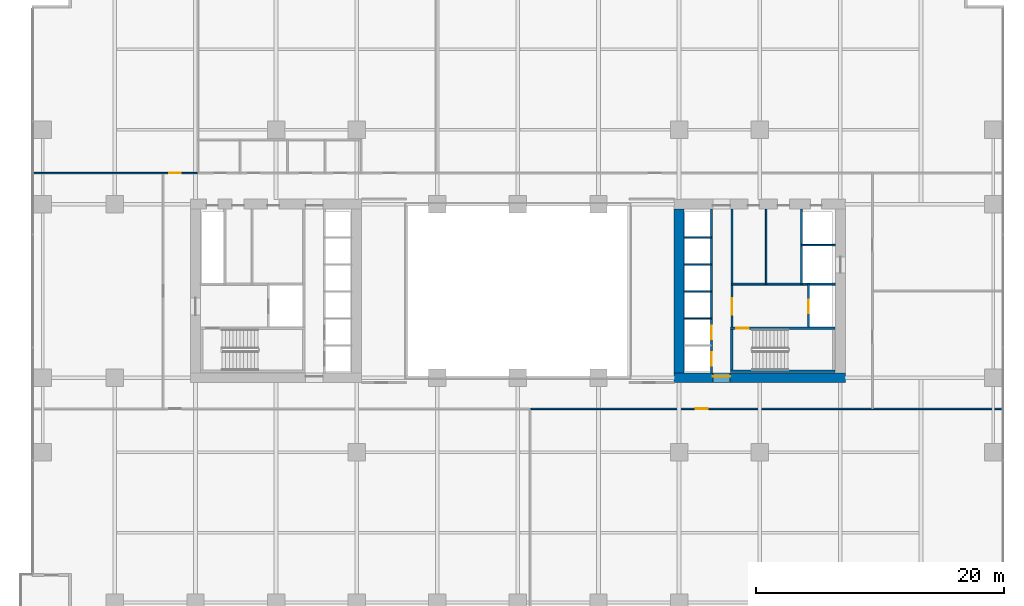
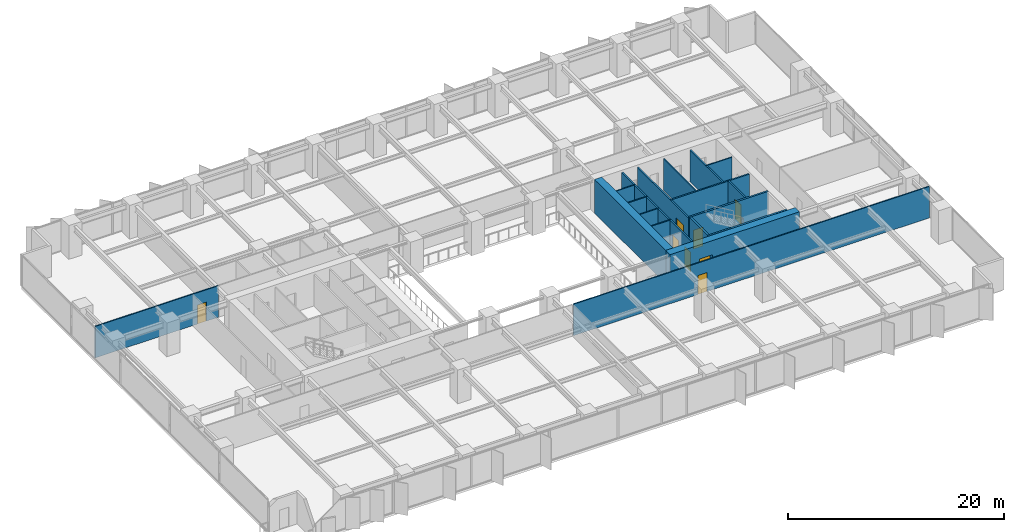
# One storey, part 14 of 20: 18 walls, 8 doors, 8 openings.
"""IFC4 building model written with IfcOpenShell, lengths in metres."""

import ifcopenshell
import ifcopenshell.guid

model = None  # the IFC model being written
_history = None  # IfcOwnerHistory: only IFC2X3 demands one
_inside = {}  # id of a spatial element -> (the spatial element, [elements in it])
_under = {}  # id of a project, library or spatial element -> (it, [spatial elements below it])
_declared = {}  # id of a project -> (the project, [libraries it declares])
_typed = {}  # id of a type object -> (the type object, [elements of that type])
_made_of = {}  # id of a material, layer set ... -> (it, [elements and type objects made of it])


def new_model(schema):
    """Start an empty IFC model of exactly this schema.

    Asked for "IFC4X3", IfcOpenShell would pick the latest addendum, in which some entities
    have other attributes; the version numbers below select the first issue.
    IFC2X3 requires an IfcOwnerHistory on every rooted entity: one is made here for all.
    """
    global model, _history
    if schema == "IFC4X3":
        model = ifcopenshell.file(schema_version=(4, 3, 0, 0))
    else:
        model = ifcopenshell.file(schema=schema)
    _inside.clear()
    _under.clear()
    _declared.clear()
    _typed.clear()
    _made_of.clear()
    _history = None
    if model.schema == "IFC2X3":
        org = make("IfcOrganization", Name="unknown")
        user = make(
            "IfcPersonAndOrganization",
            ThePerson=make("IfcPerson", FamilyName="unknown"),
            TheOrganization=org,
        )
        app = make(
            "IfcApplication",
            ApplicationDeveloper=org,
            Version="unknown",
            ApplicationFullName="unknown",
            ApplicationIdentifier="unknown",
        )
        _history = make(
            "IfcOwnerHistory",
            OwningUser=user,
            OwningApplication=app,
            ChangeAction="ADDED",
            CreationDate=0,
        )
    return model


def make(cls, **values):
    """One entity of the class cls with the attributes given. An attribute that is None is left unset."""
    return model.create_entity(
        cls, **{name: value for name, value in values.items() if value is not None}
    )


def rooted(cls, **values):
    """An entity with a GlobalId (a new one), such as an element, a storey or a relation."""
    return make(cls, GlobalId=ifcopenshell.guid.new(), OwnerHistory=_history, **values)


def si_unit(unit_type, name, prefix=None):
    """IfcSIUnit, for example si_unit("LENGTHUNIT", "METRE", prefix="MILLI")."""
    return make("IfcSIUnit", UnitType=unit_type, Prefix=prefix, Name=name)


def assignment(units):
    """IfcUnitAssignment: the units of a project."""
    return None if units is None else make("IfcUnitAssignment", Units=units)


def point(xyz):
    """IfcCartesianPoint."""
    return None if xyz is None else make("IfcCartesianPoint", Coordinates=xyz)


def direction(xyz):
    """IfcDirection."""
    return None if xyz is None else make("IfcDirection", DirectionRatios=xyz)


def frame(location, z_axis=None, x_axis=None):
    """IfcAxis2Placement3D, a coordinate frame: its origin and axes. An axis left out is left unset."""
    return make(
        "IfcAxis2Placement3D",
        Location=point(location),
        Axis=direction(z_axis),
        RefDirection=direction(x_axis),
    )


def frame_2d(location, x_axis=None):
    """IfcAxis2Placement2D, a coordinate frame in the plane: its origin and x axis."""
    return make(
        "IfcAxis2Placement2D", Location=point(location), RefDirection=direction(x_axis)
    )


def origin():
    """The frame at (0, 0, 0) with its axes left unset."""
    return frame((0.0, 0.0, 0.0))


def place(relative_to, where):
    """IfcLocalPlacement: puts the frame where relative to a parent placement (None: the world)."""
    return make(
        "IfcLocalPlacement", PlacementRelTo=relative_to, RelativePlacement=where
    )


def context(
    kind, dimensions, precision=None, world=None, true_north=None, identifier=None
):
    """IfcGeometricRepresentationContext, for example the 3D "Model" context."""
    return make(
        "IfcGeometricRepresentationContext",
        ContextIdentifier=identifier,
        ContextType=kind,
        CoordinateSpaceDimension=dimensions,
        Precision=precision,
        WorldCoordinateSystem=world,
        TrueNorth=true_north,
    )


def subcontext(parent, identifier, kind, view, scale=None):
    """IfcGeometricRepresentationSubContext, for example "Body" below "Model"."""
    return make(
        "IfcGeometricRepresentationSubContext",
        ContextIdentifier=identifier,
        ContextType=kind,
        ParentContext=parent,
        TargetScale=scale,
        TargetView=view,
    )


def project(units=None, contexts=None):
    """IfcProject with its units and contexts."""
    return rooted(
        "IfcProject",
        Name="project",
        RepresentationContexts=contexts,
        UnitsInContext=assignment(units),
    )


def spatial(cls, under=None, at=None, **own):
    """A site, building, storey or space (cls), placed at a placement, below another one or the project."""
    s = rooted(cls, ObjectPlacement=at, **own)
    if under is not None:
        _under.setdefault(under.id(), (under, []))[1].append(s)
    return s


def profile(cls, at=None, kind="AREA", **sizes):
    """A parametric profile (cls). Its sizes go by their IFC names, for example OverallWidth=200.0."""
    return make(cls, ProfileType=kind, Position=at, **sizes)


def rectangle(**sizes):
    """IfcRectangleProfileDef."""
    return profile("IfcRectangleProfileDef", **sizes)


def extrude(swept, where, along, depth):
    """IfcExtrudedAreaSolid: the profile swept, set in the frame where, extruded along a direction by depth."""
    return make(
        "IfcExtrudedAreaSolid",
        SweptArea=swept,
        Position=where,
        ExtrudedDirection=direction(along),
        Depth=depth,
    )


def shape(context_of_items, identifier, shape_type, items):
    """IfcShapeRepresentation: the items that make up one representation, for example the "Body"."""
    return make(
        "IfcShapeRepresentation",
        ContextOfItems=context_of_items,
        RepresentationIdentifier=identifier,
        RepresentationType=shape_type,
        Items=items,
    )


def material(Name=None, Category=None):
    """IfcMaterial."""
    return make("IfcMaterial", Name=Name, Category=Category)


def layer(
    of_material, thickness, ventilated=None, Name=None, Category=None, Priority=None
):
    """IfcMaterialLayer: one layer of a wall or slab, of a material (None: an air gap)."""
    return make(
        "IfcMaterialLayer",
        Material=of_material,
        LayerThickness=thickness,
        IsVentilated=ventilated,
        Name=Name,
        Category=Category,
        Priority=Priority,
    )


def layer_set(layers, Name=None):
    """IfcMaterialLayerSet."""
    return make("IfcMaterialLayerSet", MaterialLayers=layers, LayerSetName=Name)


def made_of(thing, what):
    """Note that an element or type object is made of a material, layer set ...; save() writes the relation."""
    if what is not None:
        _made_of.setdefault(what.id(), (what, []))[1].append(thing)
    return thing


def type_object(cls, material=None, **own):
    """A type object (cls), such as IfcWallType, which elements share."""
    return made_of(rooted(cls, **own), material)


def element(
    cls,
    number,
    at=None,
    inside=None,
    cuts=None,
    type_object=None,
    material=None,
    context=None,
    identifier="Body",
    shape_type=None,
    held_by="IfcProductDefinitionShape",
    body=None,
    shapes=None,
    **own,
):
    """One element of the class cls, such as IfcWall. Its Tag is "e" and its number.

    at: its placement. inside: the storey or other place that contains it. cuts: it is an
    opening in that element (IfcRelVoidsElement). A single representation is given by context,
    identifier, shape_type and body (its items); several are given by shapes. held_by: the class
    of the entity that holds the representations. save() writes the other relations.
    """
    e = rooted(cls, Tag="e%d" % number, ObjectPlacement=at, **own)
    if body is not None:
        shapes = [shape(context, identifier, shape_type, body)]
    if shapes is not None:
        e.Representation = make(held_by, Representations=shapes)
    if inside is not None:
        _inside.setdefault(inside.id(), (inside, []))[1].append(e)
    if cuts is not None:
        rooted(
            "IfcRelVoidsElement", RelatingBuildingElement=cuts, RelatedOpeningElement=e
        )
    if type_object is not None:
        _typed.setdefault(type_object.id(), (type_object, []))[1].append(e)
    return made_of(e, material)


def fill(opening, filler):
    """IfcRelFillsElement: the door or window that sits in an opening."""
    return rooted(
        "IfcRelFillsElement",
        RelatingOpeningElement=opening,
        RelatedBuildingElement=filler,
    )


def aggregate(whole, parts):
    """IfcRelAggregates: a whole, such as a stair, and the parts it consists of."""
    return rooted("IfcRelAggregates", RelatingObject=whole, RelatedObjects=parts)


def save(model, path):
    """Write the relations noted so far, then the file.

    IfcRelAggregates (storeys below a building ...), IfcRelContainedInSpatialStructure (elements
    in a storey), IfcRelDefinesByType, IfcRelAssociatesMaterial and IfcRelDeclares: one each for
    every whole, place, type object, material and project.
    """
    for whole, parts in _under.values():
        aggregate(whole, parts)
    for where, things in _inside.values():
        rooted(
            "IfcRelContainedInSpatialStructure",
            RelatedElements=things,
            RelatingStructure=where,
        )
    for kind, things in _typed.values():
        rooted("IfcRelDefinesByType", RelatedObjects=things, RelatingType=kind)
    for what, things in _made_of.values():
        rooted("IfcRelAssociatesMaterial", RelatedObjects=things, RelatingMaterial=what)
    for by, libraries in _declared.values():
        rooted("IfcRelDeclares", RelatingContext=by, RelatedDefinitions=libraries)
    model.write(path)


model = new_model("IFC4")

# Units and contexts
model_context = context("Model", 3, precision=1e-05, world=origin(), true_north=direction((0.0, 1.0)))
body_context = subcontext(model_context, "Body", "Model", "MODEL_VIEW")
ifc_project = project(units=[si_unit("LENGTHUNIT", "METRE"), si_unit("AREAUNIT", "SQUARE_METRE"), si_unit("VOLUMEUNIT", "CUBIC_METRE"), si_unit("PLANEANGLEUNIT", "RADIAN"), si_unit("MASSUNIT", "GRAM", prefix="KILO")], contexts=[model_context])

# Site, building, storey
site_placement = place(None, origin())
site = spatial("IfcSite", under=ifc_project, at=site_placement, CompositionType="ELEMENT")
building_placement = place(site_placement, origin())
building = spatial("IfcBuilding", under=site, at=building_placement, Name="Putna Gate Headquarters", CompositionType="ELEMENT")
storey_placement = place(building_placement, frame((0.0, 0.0, 31.60009765625)))
storey = spatial("IfcBuildingStorey", under=building, at=storey_placement, Name="L06", CompositionType="ELEMENT", Elevation=31.60009765625)

# Wall, opening, door
ifc_material_1 = material(Name="Concrete C60/75", Category="concrete")
ifc_layer_1 = layer(ifc_material_1, 0.800048828125)
ifc_layer_set_1 = layer_set([ifc_layer_1], Name="Concrete C60/75")
wall_type_1 = type_object("IfcWallType", Name="WALL-CORE-800", PredefinedType="SHEAR", material=ifc_layer_set_1)
wall_1_placement = place(storey_placement, frame((51.60009765625, 19.0, 0.0), z_axis=(0.0, 0.0, 1.0), x_axis=(1.0, 0.0, 0.0)))
wall_1 = element("IfcWall", 1, at=wall_1_placement, inside=storey, type_object=wall_type_1, Name="L06 EC Split Core Shear Wall S", PredefinedType="SHEAR", context=body_context, shape_type="SweptSolid", body=[
    extrude(rectangle(XDim=13.7998046875, YDim=0.800048828125, at=frame_2d((6.89990234375, 0.0))), origin(), (0.0, 0.0, 1.0), 3.7998046875),
])
opening_1_placement = place(wall_1_placement, frame((3.1201171875, 0.0, 0.0)))
opening_1 = element("IfcOpeningElement", 2, at=opening_1_placement, cuts=wall_1, Name="Opening FDD-140", PredefinedType="OPENING", context=body_context, shape_type="SweptSolid", body=[
    extrude(rectangle(XDim=1.39990234375, YDim=2.199951171875, at=frame_2d((0.699951171875, 1.10009765625))), frame((0.0, 0.409912109375, 0.0), z_axis=(0.0, -1.0, 0.0), x_axis=(1.0, 0.0, 0.0)), (0.0, 0.0, 1.0), 0.820068359375),
])
ifc_material_2 = material(Name="Double steel fire door", Category="steel")
door_type_1 = type_object("IfcDoorType", Name="DOOR-FIRE-DBL-1400", OperationType="DOUBLE_DOOR_SINGLE_SWING", PredefinedType="DOOR", material=ifc_material_2)
door_1_placement = place(opening_1_placement, origin())
door_1 = element("IfcDoor", 3, at=door_1_placement, inside=storey, type_object=door_type_1, Name="L06 East Lift Lobby South Door", OperationType="DOUBLE_DOOR_SINGLE_SWING", OverallHeight=2.199951171875, OverallWidth=1.39990234375, PredefinedType="DOOR", context=body_context, shape_type="SweptSolid", body=[
    extrude(rectangle(XDim=1.39990234375, YDim=2.199951171875, at=frame_2d((0.699951171875, 1.10009765625))), frame((0.0, 0.125, 0.0), z_axis=(0.0, -1.0, 0.0), x_axis=(1.0, 0.0, 0.0)), (0.0, 0.0, 1.0), 0.050048828125),
])
fill(opening_1, door_1)

# Walls
wall_2_placement = place(storey_placement, frame((52.0, 19.39990234375, 0.0), z_axis=(0.0, 0.0, 1.0), x_axis=(0.0, 1.0, 0.0)))
element("IfcWall", 4, at=wall_2_placement, inside=storey, type_object=wall_type_1, Name="L06 EC Split Core Shear Wall W", PredefinedType="SHEAR", context=body_context, shape_type="SweptSolid", body=[
    extrude(rectangle(XDim=13.2001953125, YDim=0.800048828125, at=frame_2d((6.60009765625, 0.0))), origin(), (0.0, 0.0, 1.0), 3.7998046875),
])
ifc_material_3 = material(Name="Fire-rated shaftwall gypsum board on metal stud")
ifc_layer_2 = layer(ifc_material_3, 0.1201171875)
ifc_layer_set_2 = layer_set([ifc_layer_2], Name="Fire-rated shaftwall gypsum board on metal stud")
wall_type_2 = type_object("IfcWallType", Name="WALL-PART-120-EI120", PredefinedType="PARTITIONING", material=ifc_layer_set_2)
for number, where, z_axis, x_axis, name in (
    (5, (52.39990234375, 23.780029296875, 0.0), (0.0, 0.0, 1.0), (1.0, 0.0, 0.0), "L06 Interior Wall CWINT-L06-EC-LF04-DIV"),
    (6, (52.39990234375, 25.949951171875, 0.0), (0.0, 0.0, 1.0), (1.0, 0.0, 0.0), "L06 Interior Wall CWINT-L06-EC-LF07-DIV"),
    (7, (52.39990234375, 28.1201171875, 0.0), (0.0, 0.0, 1.0), (1.0, 0.0, 0.0), "L06 Interior Wall CWINT-L06-EC-LF08-DIV"),
    (8, (52.39990234375, 30.31005859375, 0.0), (0.0, 0.0, 1.0), (1.0, 0.0, 0.0), "L06 Interior Wall CWINT-L06-EC-LF11-DIV"),
):
    element("IfcWall", number, at=place(storey_placement, frame(where, z_axis=z_axis, x_axis=x_axis)), inside=storey, type_object=wall_type_2, Name=name, PredefinedType="PARTITIONING", context=body_context, shape_type="SweptSolid", body=[
        extrude(rectangle(XDim=2.2001953125, YDim=0.1201171875, at=frame_2d((1.10009765625, 0.0))), origin(), (0.0, 0.0, 1.0), 3.5498046875),
    ])
wall_3_placement = place(storey_placement, frame((61.8701171875, 29.699951171875, 0.0), z_axis=(0.0, 0.0, 1.0), x_axis=(1.0, 0.0, 0.0)))
element("IfcWall", 9, at=wall_3_placement, inside=storey, type_object=wall_type_2, Name="L06 Interior Wall CWINT-L06-EC-LF15-N", PredefinedType="PARTITIONING", context=body_context, shape_type="SweptSolid", body=[
    extrude(rectangle(XDim=2.72998046875, YDim=0.1201171875, at=frame_2d((1.364990234375, 0.0))), origin(), (0.0, 0.0, 1.0), 3.5498046875),
])
ifc_material_4 = material(Name="Fire-rated gypsum board on metal stud")
ifc_layer_3 = layer(ifc_material_4, 0.1201171875)
ifc_layer_set_3 = layer_set([ifc_layer_3], Name="Fire-rated gypsum board on metal stud")
wall_type_3 = type_object("IfcWallType", Name="WALL-PART-120-RATED", PredefinedType="PARTITIONING", material=ifc_layer_set_3)
wall_4_placement = place(storey_placement, frame((59.02001953125, 26.56005859375, 0.0), z_axis=(0.0, 0.0, 1.0), x_axis=(0.0, 1.0, 0.0)))
element("IfcWall", 10, at=wall_4_placement, inside=storey, type_object=wall_type_3, Name="L06 Interior Wall CWINT-L06-EC-K1-DIV", PredefinedType="PARTITIONING", context=body_context, shape_type="SweptSolid", body=[
    extrude(rectangle(XDim=6.0400390625, YDim=0.1201171875, at=frame_2d((3.02001953125, 0.0))), origin(), (0.0, 0.0, 1.0), 3.5498046875),
])

# Wall, opening, door
wall_5_placement = place(storey_placement, frame((-0.02001953125, 35.5, 0.0), z_axis=(0.0, 0.0, 1.0), x_axis=(1.0, 0.0, 0.0)))
wall_5 = element("IfcWall", 11, at=wall_5_placement, inside=storey, type_object=wall_type_3, Name="L06 Interior Wall PART-L06-NB-CW-01", PredefinedType="PARTITIONING", context=body_context, shape_type="SweptSolid", body=[
    extrude(rectangle(XDim=13.159912109375, YDim=0.1201171875, at=frame_2d((6.580078125, 0.0))), origin(), (0.0, 0.0, 1.0), 3.5498046875),
])
opening_2_placement = place(wall_5_placement, frame((10.89990234375, 0.0, 0.0)))
opening_2 = element("IfcOpeningElement", 12, at=opening_2_placement, cuts=wall_5, Name="Opening FD-95", PredefinedType="OPENING", context=body_context, shape_type="SweptSolid", body=[
    extrude(rectangle(XDim=0.949951171875, YDim=2.14990234375, at=frame_2d((0.47509765625, 1.074951171875))), frame((0.0, 0.070068359375, 0.0), z_axis=(0.0, -1.0, 0.0), x_axis=(1.0, 0.0, 0.0)), (0.0, 0.0, 1.0), 0.14013671875),
])
ifc_material_5 = material(Name="Acoustic timber fire door", Category="wood")
door_type_2 = type_object("IfcDoorType", Name="DOOR-FIRE-950", OperationType="NOTDEFINED", PredefinedType="DOOR", material=ifc_material_5)
door_2_placement = place(opening_2_placement, origin())
door_2 = element("IfcDoor", 13, at=door_2_placement, inside=storey, type_object=door_type_2, Name="L06 Cellular Office 1 Door", OperationType="SINGLE_SWING_LEFT", OverallHeight=2.14990234375, OverallWidth=0.949951171875, PredefinedType="DOOR", context=body_context, shape_type="SweptSolid", body=[
    extrude(rectangle(XDim=0.949951171875, YDim=2.14990234375, at=frame_2d((0.47509765625, 1.074951171875))), frame((0.0, 0.02490234375, 0.0), z_axis=(0.0, -1.0, 0.0), x_axis=(1.0, 0.0, 0.0)), (0.0, 0.0, 1.0), 0.050048828125),
])
fill(opening_2, door_2)

wall_6_placement = place(storey_placement, frame((40.043212890625, 16.5, 0.0), z_axis=(0.0, 0.0, 1.0), x_axis=(1.0, 0.0, 0.0)))
wall_6 = element("IfcWall", 14, at=wall_6_placement, inside=storey, type_object=wall_type_3, Name="L06 Interior Wall PART-L06-SB-CW-02", PredefinedType="PARTITIONING", context=body_context, shape_type="SweptSolid", body=[
    extrude(rectangle(XDim=37.976806640625, YDim=0.1201171875, at=frame_2d((18.98828125, 0.0))), origin(), (0.0, 0.0, 1.0), 3.5498046875),
])
opening_3_placement = place(wall_6_placement, frame((13.30322265625, 0.0, 0.0)))
opening_3 = element("IfcOpeningElement", 15, at=opening_3_placement, cuts=wall_6, Name="Opening FD-95", PredefinedType="OPENING", context=body_context, shape_type="SweptSolid", body=[
    extrude(rectangle(XDim=0.949951171875, YDim=2.14990234375, at=frame_2d((0.47509765625, 1.074951171875))), frame((0.0, 0.070068359375, 0.0), z_axis=(0.0, -1.0, 0.0), x_axis=(1.0, 0.0, 0.0)), (0.0, 0.0, 1.0), 0.14013671875),
])
door_3_placement = place(opening_3_placement, origin())
door_3 = element("IfcDoor", 16, at=door_3_placement, inside=storey, type_object=door_type_2, Name="L06 Quiet Wellness Focus Studio 2 Door", OperationType="SINGLE_SWING_LEFT", OverallHeight=2.14990234375, OverallWidth=0.949951171875, PredefinedType="DOOR", context=body_context, shape_type="SweptSolid", body=[
    extrude(rectangle(XDim=0.949951171875, YDim=2.14990234375, at=frame_2d((0.47509765625, 1.074951171875))), frame((0.0, 0.02490234375, 0.0), z_axis=(0.0, -1.0, 0.0), x_axis=(1.0, 0.0, 0.0)), (0.0, 0.0, 1.0), 0.050048828125),
])
fill(opening_3, door_3)

# Wall, openings, doors
ifc_material_6 = material(Name="Concrete C40/50", Category="concrete")
ifc_layer_4 = layer(ifc_material_6, 0.159912109375)
ifc_layer_set_4 = layer_set([ifc_layer_4], Name="Concrete C40/50")
wall_type_4 = type_object("IfcWallType", Name="WALL-SHAFT-160", PredefinedType="STANDARD", material=ifc_layer_set_4)
wall_7_placement = place(storey_placement, frame((54.60009765625, 19.39990234375, 0.0), z_axis=(0.0, 0.0, 1.0), x_axis=(0.0, 1.0, 0.0)))
wall_7 = element("IfcWall", 17, at=wall_7_placement, inside=storey, type_object=wall_type_4, Name="L06 Interior Wall CWINT-L06-EC-PL-WALL", PredefinedType="STANDARD", context=body_context, shape_type="SweptSolid", body=[
    extrude(rectangle(XDim=13.2001953125, YDim=0.159912109375, at=frame_2d((6.60009765625, 0.0))), origin(), (0.0, 0.0, 1.0), 3.5498046875),
])
opening_4_placement = place(wall_7_placement, frame((0.550048828125, 0.0, 0.0)))
opening_4 = element("IfcOpeningElement", 18, at=opening_4_placement, cuts=wall_7, Name="Opening LD-1", PredefinedType="OPENING", context=body_context, shape_type="SweptSolid", body=[
    extrude(rectangle(XDim=1.10009765625, YDim=2.199951171875, at=frame_2d((0.550048828125, 1.10009765625))), frame((0.0, 0.08984375, 0.0), z_axis=(0.0, -1.0, 0.0), x_axis=(1.0, 0.0, 0.0)), (0.0, 0.0, 1.0), 0.179931640625),
])
opening_5_placement = place(wall_7_placement, frame((2.699951171875, 0.0, 0.0)))
opening_5 = element("IfcOpeningElement", 19, at=opening_5_placement, cuts=wall_7, Name="Opening LD-1", PredefinedType="OPENING", context=body_context, shape_type="SweptSolid", body=[
    extrude(rectangle(XDim=1.10009765625, YDim=2.199951171875, at=frame_2d((0.550048828125, 1.10009765625))), frame((0.0, 0.08984375, 0.0), z_axis=(0.0, -1.0, 0.0), x_axis=(1.0, 0.0, 0.0)), (0.0, 0.0, 1.0), 0.179931640625),
])
ifc_material_7 = material(Name="Brushed bronze stainless lift landing door")
door_type_3 = type_object("IfcDoorType", Name="DOOR-LIFT-1100", OperationType="DOUBLE_DOOR_SLIDING", PredefinedType="DOOR", material=ifc_material_7)
door_4_placement = place(opening_4_placement, origin())
door_4 = element("IfcDoor", 20, at=door_4_placement, inside=storey, type_object=door_type_3, Name="L06 Lift Landing Door LD-03", OperationType="DOUBLE_DOOR_SLIDING", OverallHeight=2.199951171875, OverallWidth=1.10009765625, PredefinedType="DOOR", context=body_context, shape_type="SweptSolid", body=[
    extrude(rectangle(XDim=1.10009765625, YDim=2.199951171875, at=frame_2d((0.550048828125, 1.10009765625))), frame((0.0, 0.02490234375, 0.0), z_axis=(0.0, -1.0, 0.0), x_axis=(1.0, 0.0, 0.0)), (0.0, 0.0, 1.0), 0.050048828125),
])
fill(opening_4, door_4)
door_5_placement = place(opening_5_placement, origin())
door_5 = element("IfcDoor", 21, at=door_5_placement, inside=storey, type_object=door_type_3, Name="L06 Lift Landing Door LD-04", OperationType="DOUBLE_DOOR_SLIDING", OverallHeight=2.199951171875, OverallWidth=1.10009765625, PredefinedType="DOOR", context=body_context, shape_type="SweptSolid", body=[
    extrude(rectangle(XDim=1.10009765625, YDim=2.199951171875, at=frame_2d((0.550048828125, 1.10009765625))), frame((0.0, 0.02490234375, 0.0), z_axis=(0.0, -1.0, 0.0), x_axis=(1.0, 0.0, 0.0)), (0.0, 0.0, 1.0), 0.050048828125),
])
fill(opening_5, door_5)

# Wall, opening, door
wall_8_placement = place(storey_placement, frame((56.260009765625, 23.090087890625, 0.0), z_axis=(0.0, 0.0, 1.0), x_axis=(0.0, 1.0, 0.0)))
wall_8 = element("IfcWall", 22, at=wall_8_placement, inside=storey, type_object=wall_type_4, Name="L06 Interior Wall CWINT-L06-EC-LOB-E", PredefinedType="STANDARD", context=body_context, shape_type="SweptSolid", body=[
    extrude(rectangle(XDim=9.510009765625, YDim=0.159912109375, at=frame_2d((4.7548828125, 0.0))), origin(), (0.0, 0.0, 1.0), 3.5498046875),
])
opening_6_placement = place(wall_8_placement, frame((1.010009765625, 0.0, 0.0)))
opening_6 = element("IfcOpeningElement", 23, at=opening_6_placement, cuts=wall_8, Name="Opening FDD-130", PredefinedType="OPENING", context=body_context, shape_type="SweptSolid", body=[
    extrude(rectangle(XDim=1.300048828125, YDim=2.199951171875, at=frame_2d((0.64990234375, 1.10009765625))), frame((0.0, 0.08984375, 0.0), z_axis=(0.0, -1.0, 0.0), x_axis=(1.0, 0.0, 0.0)), (0.0, 0.0, 1.0), 0.179931640625),
])
ifc_material_8 = material(Name="Double steel lobby fire door", Category="steel")
door_type_4 = type_object("IfcDoorType", Name="DOOR-FIRE-DBL-1300", OperationType="DOUBLE_DOOR_SINGLE_SWING", PredefinedType="DOOR", material=ifc_material_8)
door_6_placement = place(opening_6_placement, origin())
door_6 = element("IfcDoor", 24, at=door_6_placement, inside=storey, type_object=door_type_4, Name="L06 East Firefighting Lobby Door", OperationType="DOUBLE_DOOR_SINGLE_SWING", OverallHeight=2.199951171875, OverallWidth=1.300048828125, PredefinedType="DOOR", context=body_context, shape_type="SweptSolid", body=[
    extrude(rectangle(XDim=1.300048828125, YDim=2.199951171875, at=frame_2d((0.64990234375, 1.10009765625))), frame((0.0, 0.02490234375, 0.0), z_axis=(0.0, -1.0, 0.0), x_axis=(1.0, 0.0, 0.0)), (0.0, 0.0, 1.0), 0.050048828125),
])
fill(opening_6, door_6)

wall_9_placement = place(storey_placement, frame((62.429931640625, 23.090087890625, 0.0), z_axis=(0.0, 0.0, 1.0), x_axis=(0.0, 1.0, 0.0)))
wall_9 = element("IfcWall", 25, at=wall_9_placement, inside=storey, type_object=wall_type_4, Name="L06 Interior Wall CWINT-L06-EC-LF14-W", PredefinedType="STANDARD", context=body_context, shape_type="SweptSolid", body=[
    extrude(rectangle(XDim=3.469970703125, YDim=0.159912109375, at=frame_2d((1.73486328125, 0.0))), origin(), (0.0, 0.0, 1.0), 3.5498046875),
])
opening_7_placement = place(wall_9_placement, frame((1.10009765625, 0.0, 0.0)))
opening_7 = element("IfcOpeningElement", 26, at=opening_7_placement, cuts=wall_9, Name="Opening LD-1", PredefinedType="OPENING", context=body_context, shape_type="SweptSolid", body=[
    extrude(rectangle(XDim=1.10009765625, YDim=2.199951171875, at=frame_2d((0.550048828125, 1.10009765625))), frame((0.0, 0.08984375, 0.0), z_axis=(0.0, -1.0, 0.0), x_axis=(1.0, 0.0, 0.0)), (0.0, 0.0, 1.0), 0.179931640625),
])
door_7_placement = place(opening_7_placement, origin())
door_7 = element("IfcDoor", 27, at=door_7_placement, inside=storey, type_object=door_type_3, Name="L06 Lift Landing Door LD-14", OperationType="DOUBLE_DOOR_SLIDING", OverallHeight=2.199951171875, OverallWidth=1.10009765625, PredefinedType="DOOR", context=body_context, shape_type="SweptSolid", body=[
    extrude(rectangle(XDim=1.10009765625, YDim=2.199951171875, at=frame_2d((0.550048828125, 1.10009765625))), frame((0.0, 0.02490234375, 0.0), z_axis=(0.0, -1.0, 0.0), x_axis=(1.0, 0.0, 0.0)), (0.0, 0.0, 1.0), 0.050048828125),
])
fill(opening_7, door_7)

# Walls
wall_10_placement = place(storey_placement, frame((56.260009765625, 26.56005859375, 0.0), z_axis=(0.0, 0.0, 1.0), x_axis=(1.0, 0.0, 0.0)))
element("IfcWall", 28, at=wall_10_placement, inside=storey, type_object=wall_type_4, Name="L06 Interior Wall CWINT-L06-EC-FFL-N", PredefinedType="STANDARD", context=body_context, shape_type="SweptSolid", body=[
    extrude(rectangle(XDim=8.340087890625, YDim=0.159912109375, at=frame_2d((4.169921875, 0.0))), origin(), (0.0, 0.0, 1.0), 3.5498046875),
])
wall_11_placement = place(storey_placement, frame((61.8701171875, 26.56005859375, 0.0), z_axis=(0.0, 0.0, 1.0), x_axis=(0.0, 1.0, 0.0)))
element("IfcWall", 29, at=wall_11_placement, inside=storey, type_object=wall_type_4, Name="L06 Interior Wall CWINT-L06-EC-LF15-W", PredefinedType="STANDARD", context=body_context, shape_type="SweptSolid", body=[
    extrude(rectangle(XDim=6.0400390625, YDim=0.159912109375, at=frame_2d((3.02001953125, 0.0))), origin(), (0.0, 0.0, 1.0), 3.5498046875),
])
ifc_layer_5 = layer(ifc_material_6, 0.199951171875)
ifc_layer_set_5 = layer_set([ifc_layer_5], Name="Concrete C40/50")
wall_type_5 = type_object("IfcWallType", Name="WALL-SHAFT-RC200", PredefinedType="SHEAR", material=ifc_layer_set_5)
wall_12_placement = place(storey_placement, frame((56.159912109375, 19.510009765625, 0.0), z_axis=(0.0, 0.0, 1.0), x_axis=(1.0, 0.0, 0.0)))
element("IfcWall", 30, at=wall_12_placement, inside=storey, type_object=wall_type_5, Name="L06 Stair ST2 Structural Shaft Wall S", PredefinedType="SHEAR", context=body_context, shape_type="SweptSolid", body=[
    extrude(rectangle(XDim=8.43017578125, YDim=0.199951171875, at=frame_2d((4.215087890625, 0.0))), origin(), (0.0, 0.0, 1.0), 3.7998046875),
])

# Wall, opening, door
wall_13_placement = place(storey_placement, frame((56.159912109375, 22.989990234375, 0.0), z_axis=(0.0, 0.0, 1.0), x_axis=(1.0, 0.0, 0.0)))
wall_13 = element("IfcWall", 31, at=wall_13_placement, inside=storey, type_object=wall_type_5, Name="L06 Stair ST2 Structural Shaft Wall N", PredefinedType="SHEAR", context=body_context, shape_type="SweptSolid", body=[
    extrude(rectangle(XDim=8.43017578125, YDim=0.199951171875, at=frame_2d((4.215087890625, 0.0))), origin(), (0.0, 0.0, 1.0), 3.7998046875),
])
opening_8_placement = place(wall_13_placement, frame((0.449951171875, 0.0, 0.0)))
opening_8 = element("IfcOpeningElement", 32, at=opening_8_placement, cuts=wall_13, Name="Opening FD-100", PredefinedType="OPENING", context=body_context, shape_type="SweptSolid", body=[
    extrude(rectangle(XDim=1.0, YDim=2.14990234375, at=frame_2d((0.5, 1.074951171875))), frame((0.0, 0.10986328125, 0.0), z_axis=(0.0, -1.0, 0.0), x_axis=(1.0, 0.0, 0.0)), (0.0, 0.0, 1.0), 0.219970703125),
])
ifc_material_9 = material(Name="Powder-coated steel fire door", Category="steel")
door_type_5 = type_object("IfcDoorType", Name="DOOR-FIRE-1000", OperationType="NOTDEFINED", PredefinedType="DOOR", material=ifc_material_9)
door_8_placement = place(opening_8_placement, origin())
door_8 = element("IfcDoor", 33, at=door_8_placement, inside=storey, type_object=door_type_5, Name="L06 Stair ST2 Fire Door", OperationType="SINGLE_SWING_RIGHT", OverallHeight=2.14990234375, OverallWidth=1.0, PredefinedType="DOOR", context=body_context, shape_type="SweptSolid", body=[
    extrude(rectangle(XDim=1.0, YDim=2.14990234375, at=frame_2d((0.5, 1.074951171875))), frame((0.0, 0.02490234375, 0.0), z_axis=(0.0, -1.0, 0.0), x_axis=(1.0, 0.0, 0.0)), (0.0, 0.0, 1.0), 0.050048828125),
])
fill(opening_8, door_8)

# Wall
wall_14_placement = place(storey_placement, frame((56.260009765625, 19.610107421875, 0.0), z_axis=(0.0, 0.0, 1.0), x_axis=(0.0, 1.0, 0.0)))
element("IfcWall", 34, at=wall_14_placement, inside=storey, type_object=wall_type_5, Name="L06 Stair ST2 Structural Shaft Wall W", PredefinedType="SHEAR", context=body_context, shape_type="SweptSolid", body=[
    extrude(rectangle(XDim=3.27978515625, YDim=0.199951171875, at=frame_2d((1.639892578125, 0.0))), origin(), (0.0, 0.0, 1.0), 3.7998046875),
])

save(model, "model.ifc")
